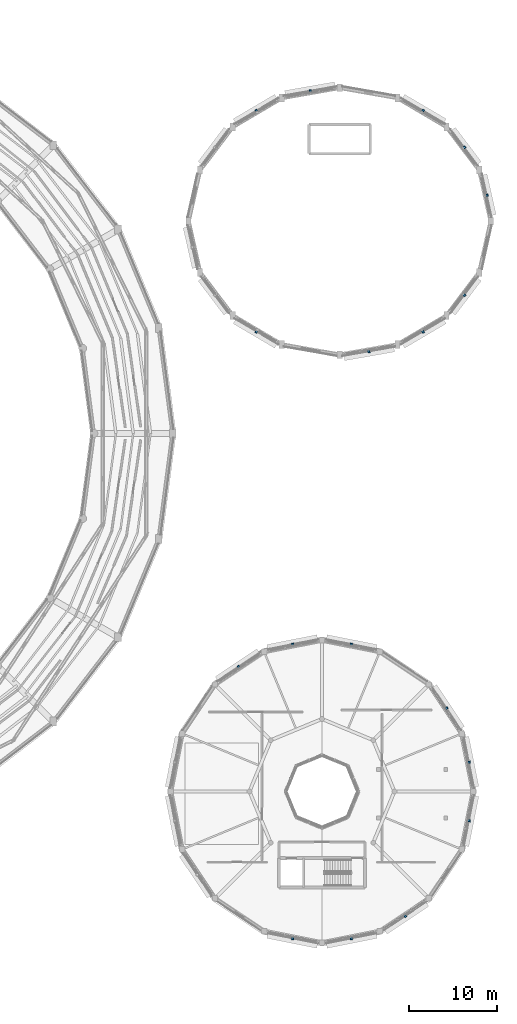
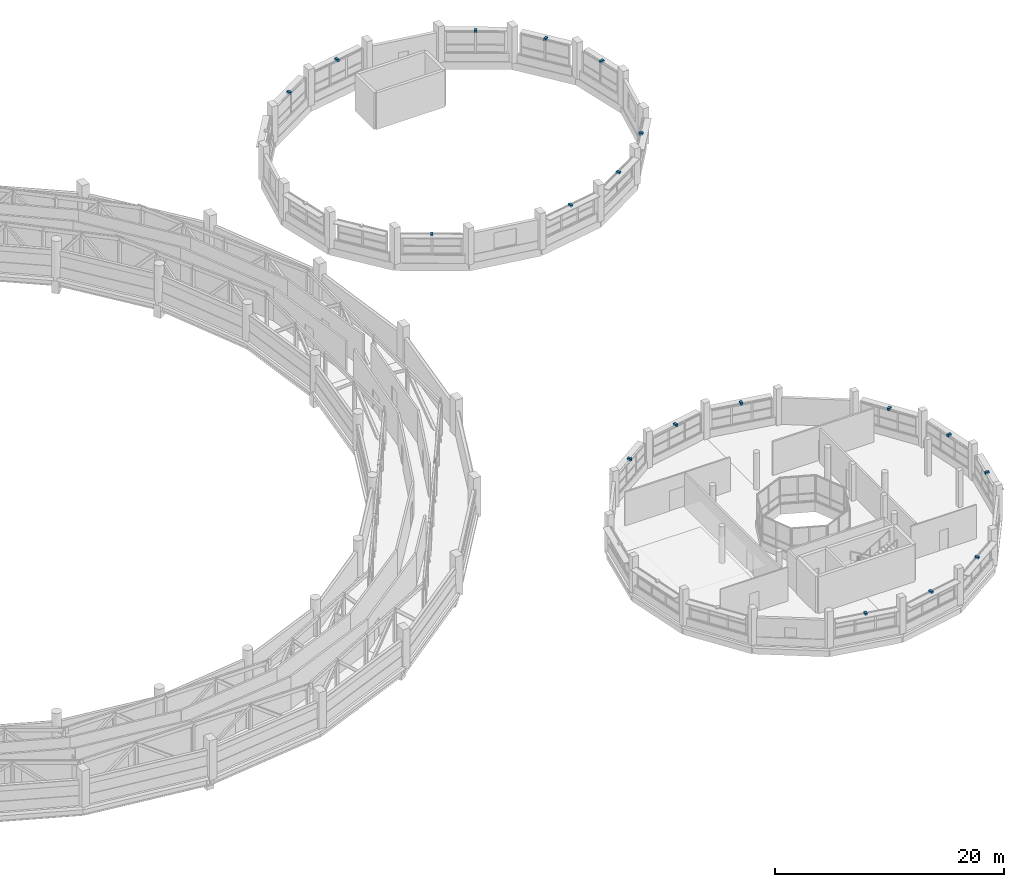
# One storey, part 112 of 121: 18 discrete accessories.
"""IFC4 building model written with IfcOpenShell, lengths in metres."""

from ifc_helpers import new_model, si_unit, direction, frame, origin, origin_2d, place, context, subcontext, project, spatial, rectangle, extrude, material, type_object, element, save


model = new_model("IFC4")

# Units and contexts
model_context = context("Model", 3, precision=1e-05, world=origin(), true_north=direction((0.0, 1.0)))
body_context = subcontext(model_context, "Body", "Model", "MODEL_VIEW")
ifc_project = project(units=[si_unit("LENGTHUNIT", "METRE"), si_unit("AREAUNIT", "SQUARE_METRE"), si_unit("VOLUMEUNIT", "CUBIC_METRE"), si_unit("PLANEANGLEUNIT", "RADIAN"), si_unit("MASSUNIT", "GRAM", prefix="KILO")], contexts=[model_context])

# Site, building, storey
site_placement = place(None, origin())
site = spatial("IfcSite", under=ifc_project, at=site_placement, CompositionType="ELEMENT")
building_placement = place(site_placement, origin())
building = spatial("IfcBuilding", under=site, at=building_placement, Name="Vespera Passage Community Centre", CompositionType="ELEMENT")
storey_placement = place(building_placement, frame((0.0, 0.0, 8.699951171875)))
storey = spatial("IfcBuildingStorey", under=building, at=storey_placement, Name="L02", CompositionType="ELEMENT", Elevation=8.699951171875)

# Discrete accessories
ifc_material = material(Name="Steel ASTM A572 Grade 50", Category="steel")
discrete_accessory_type = type_object("IfcDiscreteAccessoryType", Name="ACC-BRACKET", PredefinedType="BRACKET", material=ifc_material)
for number, where, z_axis, x_axis, name in (
    (1, (159.605224609375, 92.42431640625, 2.93505859375), (0.0, 0.0, 1.0), (0.219744045409, -0.975557560838, 0.0), "V2 L02 Solar Eyebrow 1 Bracket"),
    (2, (157.072509765625, 97.824462890625, 2.93505859375), (0.0, 0.0, 1.0), (0.603402856255, -0.7974365135, 0.0), "V2 L02 Solar Eyebrow 2 Bracket"),
    (3, (152.39892578125, 101.951904296875, 2.93505859375), (0.0, 0.0, 1.0), (0.861248014559, -0.508184865396, 0.0), "V2 L02 Solar Eyebrow 3 Bracket"),
    (4, (139.700439453125, 104.182861328125, 2.93505859375), (0.0, 0.0, 1.0), (0.984922704244, 0.172994990288, 0.0), "V2 L02 Solar Eyebrow 5 Bracket"),
    (5, (133.60107421875, 101.951904296875, 2.93505859375), (0.0, 0.0, 1.0), (0.861248014559, 0.508184865396, 0.0), "V2 L02 Solar Eyebrow 6 Bracket"),
    (6, (133.60107421875, 77.048095703125, 2.93505859375), (0.0, 0.0, 1.0), (-0.861248014559, 0.508184865396, 0.0), "V2 L02 Solar Eyebrow 11 Bracket"),
    (7, (146.299560546875, 74.817138671875, 2.93505859375), (0.0, 0.0, 1.0), (-0.984922704244, -0.172994990288, 0.0), "V2 L02 Solar Eyebrow 13 Bracket"),
    (8, (152.39892578125, 77.048095703125, 2.93505859375), (0.0, 0.0, 1.0), (-0.861248014559, -0.508184865396, 0.0), "V2 L02 Solar Eyebrow 14 Bracket"),
    (9, (157.072509765625, 81.175537109375, 2.93505859375), (0.0, 0.0, 1.0), (-0.603402856255, -0.7974365135, 0.0), "V2 L02 Solar Eyebrow 15 Bracket"),
    (10, (157.58642578125, 28.29931640625, 2.705078125), (0.0, 0.0, 1.0), (0.195090322016, -0.980785280403, 0.0), "V3 L02 Solar Eyebrow 1 Bracket"),
    (11, (155.061279296875, 34.3955078125, 2.705078125), (0.0, 0.0, 1.0), (0.555555721053, -0.831479308706, 0.0), "V3 L02 Solar Eyebrow 2 Bracket"),
    (12, (144.29931640625, 41.58642578125, 2.705078125), (0.0, 0.0, 1.0), (0.980785280403, -0.195090322016, 0.0), "V3 L02 Solar Eyebrow 4 Bracket"),
    (13, (137.70068359375, 41.58642578125, 2.705078125), (0.0, 0.0, 1.0), (0.980785280403, 0.195090322016, 0.0), "V3 L02 Solar Eyebrow 5 Bracket"),
    (14, (131.6044921875, 39.061279296875, 2.705078125), (0.0, 0.0, 1.0), (0.831479308706, 0.555555721053, 0.0), "V3 L02 Solar Eyebrow 6 Bracket"),
    (15, (137.70068359375, 8.41357421875, 2.705078125), (0.0, 0.0, 1.0), (-0.980785280403, 0.195090322016, 0.0), "V3 L02 Solar Eyebrow 12 Bracket"),
    (16, (144.29931640625, 8.41357421875, 2.705078125), (0.0, 0.0, 1.0), (-0.980785280403, -0.195090322016, 0.0), "V3 L02 Solar Eyebrow 13 Bracket"),
    (17, (150.3955078125, 10.938720703125, 2.705078125), (0.0, 0.0, 1.0), (-0.831479308706, -0.555555721053, 0.0), "V3 L02 Solar Eyebrow 14 Bracket"),
    (18, (157.58642578125, 21.70068359375, 2.705078125), (0.0, 0.0, 1.0), (-0.195090322016, -0.980785280403, 0.0), "V3 L02 Solar Eyebrow 16 Bracket"),
):
    element("IfcDiscreteAccessory", number, at=place(storey_placement, frame(where, z_axis=z_axis, x_axis=x_axis)), inside=storey, type_object=discrete_accessory_type, Name=name, PredefinedType="BRACKET", context=body_context, shape_type="SweptSolid", body=[
        extrude(rectangle(XDim=0.239990234375, YDim=0.3798828125, at=origin_2d()), origin(), (0.0, 0.0, 1.0), 0.239990234375),
    ])

save(model, "model.ifc")
